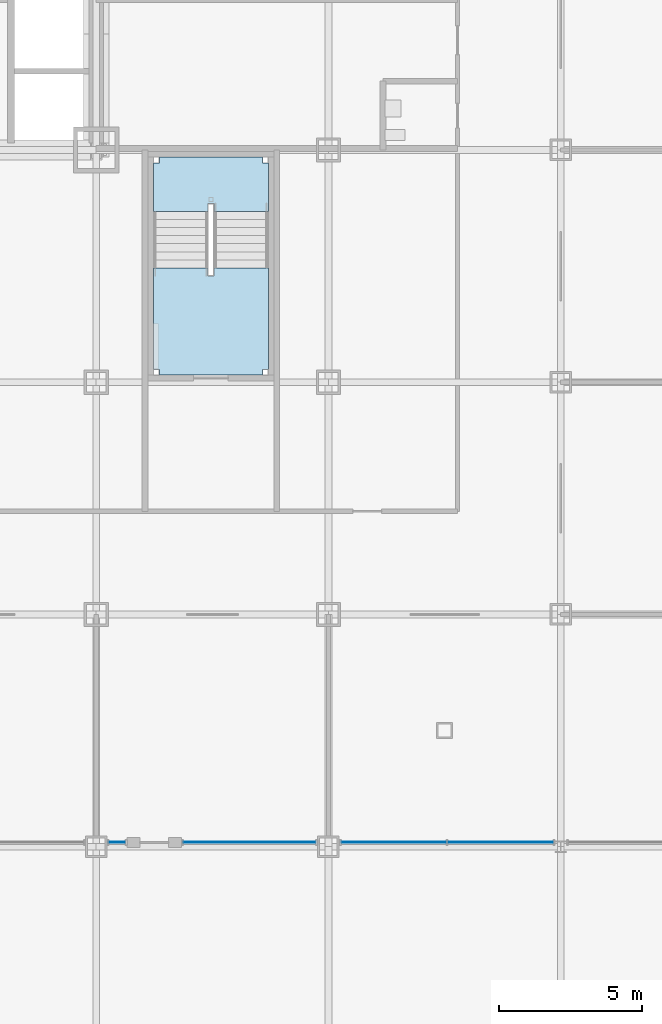
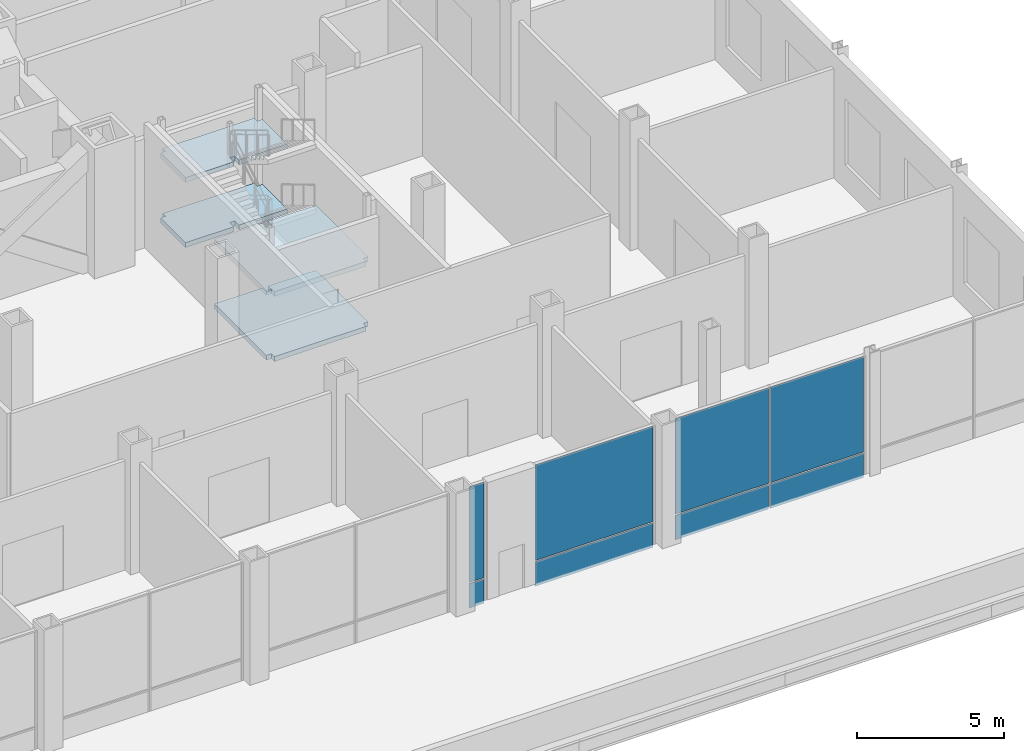
# One storey, part 19 of 29: 8 plates, 4 slabs, 4 elements without a shape of their own.
"""IFC4 building model written with IfcOpenShell, lengths in metres."""

from ifc_helpers import new_model, si_unit, direction, frame, origin, origin_2d, place, context, subcontext, project, spatial, polyline, rectangle, outline, extrude, material, layer, layer_set, type_object, element, aggregate, save


model = new_model("IFC4")

# Units and contexts
model_context = context("Model", 3, precision=1e-05, world=origin(), true_north=direction((0.0, 1.0)))
body_context = subcontext(model_context, "Body", "Model", "MODEL_VIEW")
ifc_project = project(units=[si_unit("LENGTHUNIT", "METRE"), si_unit("AREAUNIT", "SQUARE_METRE"), si_unit("VOLUMEUNIT", "CUBIC_METRE"), si_unit("PLANEANGLEUNIT", "RADIAN"), si_unit("MASSUNIT", "GRAM", prefix="KILO")], contexts=[model_context])

# Site, building, storey
site_placement = place(None, origin())
site = spatial("IfcSite", under=ifc_project, at=site_placement, CompositionType="ELEMENT")
building_placement = place(site_placement, origin())
building = spatial("IfcBuilding", under=site, at=building_placement, Name="Kopane Lantern Tower", CompositionType="ELEMENT")
storey_placement = place(building_placement, frame((0.0, 0.0, 11.39990234375)))
storey = spatial("IfcBuildingStorey", under=building, at=storey_placement, Name="L02", CompositionType="ELEMENT", Elevation=11.39990234375)

# Curtain wall, plates
ifc_material_1 = material(Name="Aluminium and clear glass", Category="aluminium")
curtain_wall_type = type_object("IfcCurtainWallType", Name="CURTAIN WALL CW2 PODIUM UPPER", PredefinedType="USERDEFINED", material=ifc_material_1)
curtain_wall_1_placement = place(storey_placement, origin())
curtain_wall_1 = element("IfcCurtainWall", 1, at=curtain_wall_1_placement, inside=storey, type_object=curtain_wall_type, Name="Curtain wall CW2 S L02", ObjectType="CURTAIN WALL", PredefinedType="USERDEFINED")
ifc_material_2 = material(Name="Insulated clear glass unit", Category="glass")
ifc_layer_1 = layer(ifc_material_2, 0.030029296875)
ifc_layer_set_1 = layer_set([ifc_layer_1], Name="CURTAIN PANEL CW2-P 30")
plate_type = type_object("IfcPlateType", Name="CURTAIN PANEL CW2-P 30", PredefinedType="CURTAIN_PANEL", material=ifc_layer_set_1)
plate_1_placement = place(storey_placement, frame((41.2275390625, 0.14990234375, 0.06005859375), z_axis=(0.0, 0.0, 1.0), x_axis=(1.0, 0.0, 0.0)))
plate_1 = element("IfcPlate", 2, at=plate_1_placement, type_object=plate_type, Name="CW2 panel 1.1", PredefinedType="CURTAIN_PANEL", context=body_context, shape_type="SweptSolid", body=[
    extrude(rectangle(XDim=0.574951171875, YDim=0.030029296875, at=origin_2d()), origin(), (0.0, 0.0, 1.0), 1.010009765625),
])
plate_2_placement = place(storey_placement, frame((41.2275390625, 0.14990234375, 1.130126953125), z_axis=(0.0, 0.0, 1.0), x_axis=(1.0, 0.0, 0.0)))
plate_2 = element("IfcPlate", 3, at=plate_2_placement, type_object=plate_type, Name="CW2 panel 1.2", PredefinedType="CURTAIN_PANEL", context=body_context, shape_type="SweptSolid", body=[
    extrude(rectangle(XDim=0.574951171875, YDim=0.030029296875, at=origin_2d()), origin(), (0.0, 0.0, 1.0), 3.9599609375),
])
aggregate(curtain_wall_1, [plate_1, plate_2])

curtain_wall_2_placement = place(storey_placement, origin())
curtain_wall_2 = element("IfcCurtainWall", 4, at=curtain_wall_2_placement, inside=storey, type_object=curtain_wall_type, Name="Curtain wall CW2 S L02", ObjectType="CURTAIN WALL", PredefinedType="USERDEFINED")
plate_3_placement = place(storey_placement, frame((45.847412109375, 0.14990234375, 0.06005859375), z_axis=(0.0, 0.0, 1.0), x_axis=(1.0, 0.0, 0.0)))
plate_3 = element("IfcPlate", 5, at=plate_3_placement, type_object=plate_type, Name="CW2 panel 1.1", PredefinedType="CURTAIN_PANEL", context=body_context, shape_type="SweptSolid", body=[
    extrude(rectangle(XDim=4.625, YDim=0.030029296875, at=origin_2d()), origin(), (0.0, 0.0, 1.0), 1.010009765625),
])
plate_4_placement = place(storey_placement, frame((45.847412109375, 0.14990234375, 1.130126953125), z_axis=(0.0, 0.0, 1.0), x_axis=(1.0, 0.0, 0.0)))
plate_4 = element("IfcPlate", 6, at=plate_4_placement, type_object=plate_type, Name="CW2 panel 1.2", PredefinedType="CURTAIN_PANEL", context=body_context, shape_type="SweptSolid", body=[
    extrude(rectangle(XDim=4.625, YDim=0.030029296875, at=origin_2d()), origin(), (0.0, 0.0, 1.0), 3.9599609375),
])
aggregate(curtain_wall_2, [plate_3, plate_4])

curtain_wall_3_placement = place(storey_placement, origin())
curtain_wall_3 = element("IfcCurtainWall", 7, at=curtain_wall_3_placement, inside=storey, type_object=curtain_wall_type, Name="Curtain wall CW2 S L02", ObjectType="CURTAIN WALL", PredefinedType="USERDEFINED")
plate_5_placement = place(storey_placement, frame((50.873291015625, 0.14990234375, 0.06005859375), z_axis=(0.0, 0.0, 1.0), x_axis=(1.0, 0.0, 0.0)))
plate_5 = element("IfcPlate", 8, at=plate_5_placement, type_object=plate_type, Name="CW2 panel 1.1", PredefinedType="CURTAIN_PANEL", context=body_context, shape_type="SweptSolid", body=[
    extrude(rectangle(XDim=3.666748046875, YDim=0.030029296875, at=origin_2d()), origin(), (0.0, 0.0, 1.0), 1.010009765625),
])
plate_6_placement = place(storey_placement, frame((50.873291015625, 0.14990234375, 1.130126953125), z_axis=(0.0, 0.0, 1.0), x_axis=(1.0, 0.0, 0.0)))
plate_6 = element("IfcPlate", 9, at=plate_6_placement, type_object=plate_type, Name="CW2 panel 1.2", PredefinedType="CURTAIN_PANEL", context=body_context, shape_type="SweptSolid", body=[
    extrude(rectangle(XDim=3.666748046875, YDim=0.030029296875, at=origin_2d()), origin(), (0.0, 0.0, 1.0), 3.9599609375),
])
plate_7_placement = place(storey_placement, frame((54.60009765625, 0.14990234375, 0.06005859375), z_axis=(0.0, 0.0, 1.0), x_axis=(1.0, 0.0, 0.0)))
plate_7 = element("IfcPlate", 10, at=plate_7_placement, type_object=plate_type, Name="CW2 panel 2.1", PredefinedType="CURTAIN_PANEL", context=body_context, shape_type="SweptSolid", body=[
    extrude(rectangle(XDim=3.666748046875, YDim=0.030029296875, at=origin_2d()), origin(), (0.0, 0.0, 1.0), 1.010009765625),
])
plate_8_placement = place(storey_placement, frame((54.60009765625, 0.14990234375, 1.130126953125), z_axis=(0.0, 0.0, 1.0), x_axis=(1.0, 0.0, 0.0)))
plate_8 = element("IfcPlate", 11, at=plate_8_placement, type_object=plate_type, Name="CW2 panel 2.2", PredefinedType="CURTAIN_PANEL", context=body_context, shape_type="SweptSolid", body=[
    extrude(rectangle(XDim=3.666748046875, YDim=0.030029296875, at=origin_2d()), origin(), (0.0, 0.0, 1.0), 3.9599609375),
])
aggregate(curtain_wall_3, [plate_5, plate_6, plate_7, plate_8])

# Stair, slabs
ifc_material_3 = material(Name="Steel S355JR", Category="steel")
stair_type = type_object("IfcStairType", Name="EXIT STAIR 1900 HALF TURN", PredefinedType="HALF_TURN_STAIR", material=ifc_material_3)
stair_placement = place(storey_placement, origin())
stair = element("IfcStair", 12, at=stair_placement, inside=storey, type_object=stair_type, Name="Exit stair ST4 L02", PredefinedType="HALF_TURN_STAIR")
ifc_material_4 = material(Name="Concrete C40/50", Category="concrete")
ifc_layer_2 = layer(ifc_material_4, 0.199951171875)
ifc_layer_set_2 = layer_set([ifc_layer_2], Name="STAIR LANDING 200")
slab_type = type_object("IfcSlabType", Name="STAIR LANDING 200", PredefinedType="LANDING", material=ifc_layer_set_2)
slab_1_placement = place(storey_placement, frame((0.0, 0.0, -0.199951171875)))
slab_1 = element("IfcSlab", 13, at=slab_1_placement, type_object=slab_type, Name="ST4 landing 1", PredefinedType="LANDING", context=body_context, shape_type="SweptSolid", body=[
    extrude(outline(polyline([(42.699951171875, 16.64990234375), (42.699951171875, 16.449951171875), (46.300048828125, 16.449951171875), (46.300048828125, 16.64990234375), (46.5, 16.64990234375), (46.5, 20.18994140625), (44.60009765625, 20.18994140625), (44.60009765625, 19.909912109375), (44.39990234375, 19.909912109375), (44.39990234375, 20.18994140625), (42.5, 20.18994140625), (42.5, 16.64990234375), (42.699951171875, 16.64990234375)])), origin(), (0.0, 0.0, 1.0), 0.199951171875),
])
slab_2_placement = place(storey_placement, frame((0.0, 0.0, 1.150146484375)))
slab_2 = element("IfcSlab", 14, at=slab_2_placement, type_object=slab_type, Name="ST4 landing 2", PredefinedType="LANDING", context=body_context, shape_type="SweptSolid", body=[
    extrude(outline(polyline([(42.699951171875, 23.85009765625), (42.5, 23.85009765625), (42.5, 22.14990234375), (44.39990234375, 22.14990234375), (44.39990234375, 22.429931640625), (44.60009765625, 22.429931640625), (44.60009765625, 22.14990234375), (46.5, 22.14990234375), (46.5, 23.85009765625), (46.300048828125, 23.85009765625), (46.300048828125, 24.050048828125), (42.699951171875, 24.050048828125), (42.699951171875, 23.85009765625)])), origin(), (0.0, 0.0, 1.0), 0.199951171875),
])
slab_3_placement = place(storey_placement, frame((0.0, 0.0, 2.5)))
slab_3 = element("IfcSlab", 15, at=slab_3_placement, type_object=slab_type, Name="ST4 landing 3", PredefinedType="LANDING", context=body_context, shape_type="SweptSolid", body=[
    extrude(outline(polyline([(42.699951171875, 16.64990234375), (42.699951171875, 16.449951171875), (46.300048828125, 16.449951171875), (46.300048828125, 16.64990234375), (46.5, 16.64990234375), (46.5, 20.18994140625), (44.60009765625, 20.18994140625), (44.60009765625, 19.909912109375), (44.39990234375, 19.909912109375), (44.39990234375, 20.18994140625), (42.5, 20.18994140625), (42.5, 16.64990234375), (42.699951171875, 16.64990234375)])), origin(), (0.0, 0.0, 1.0), 0.2001953125),
])
slab_4_placement = place(storey_placement, frame((0.0, 0.0, 3.85009765625)))
slab_4 = element("IfcSlab", 16, at=slab_4_placement, type_object=slab_type, Name="ST4 landing 4", PredefinedType="LANDING", context=body_context, shape_type="SweptSolid", body=[
    extrude(outline(polyline([(42.699951171875, 23.85009765625), (42.5, 23.85009765625), (42.5, 22.14990234375), (44.39990234375, 22.14990234375), (44.39990234375, 22.429931640625), (44.60009765625, 22.429931640625), (44.60009765625, 22.14990234375), (46.5, 22.14990234375), (46.5, 23.85009765625), (46.300048828125, 23.85009765625), (46.300048828125, 24.050048828125), (42.699951171875, 24.050048828125), (42.699951171875, 23.85009765625)])), origin(), (0.0, 0.0, 1.0), 0.199951171875),
])
aggregate(stair, [slab_1, slab_2, slab_3, slab_4])

save(model, "model.ifc")
